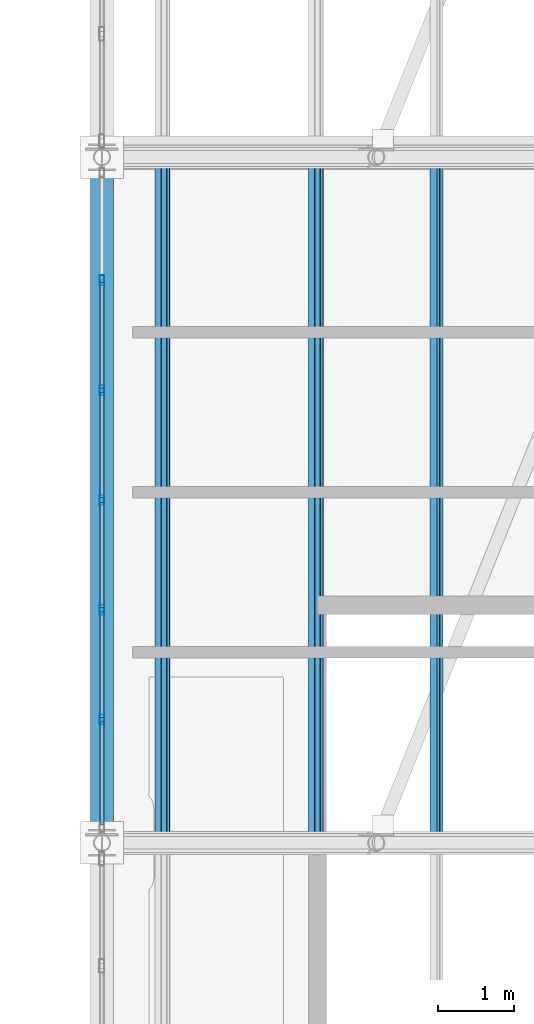
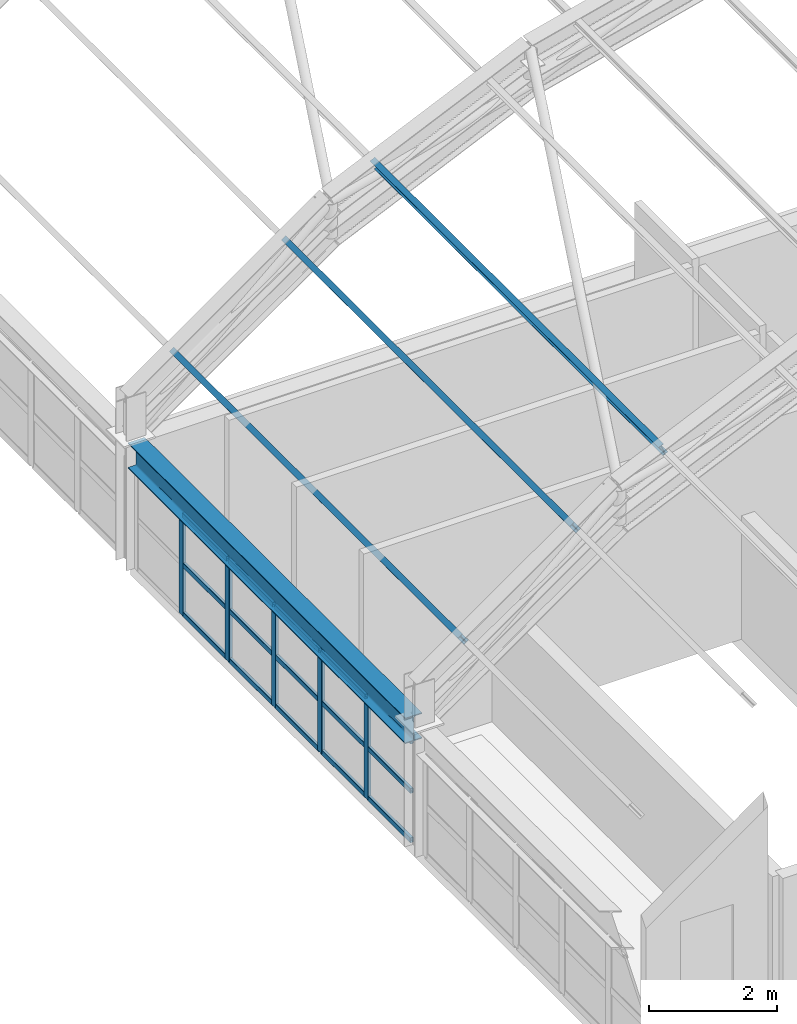
# One storey, part 27 of 121: 23 members, 1 beam, 1 element without a shape of its own.
"""IFC4 building model written with IfcOpenShell, lengths in metres."""

from ifc_helpers import new_model, si_unit, direction, frame, origin, origin_2d, place, context, subcontext, project, spatial, hollow_rectangle, i_section, extrude, material, material_profile, profile_set, type_object, element, aggregate, save


model = new_model("IFC4")

# Units and contexts
model_context = context("Model", 3, precision=1e-05, world=origin(), true_north=direction((0.0, 1.0)))
body_context = subcontext(model_context, "Body", "Model", "MODEL_VIEW")
ifc_project = project(units=[si_unit("LENGTHUNIT", "METRE"), si_unit("AREAUNIT", "SQUARE_METRE"), si_unit("VOLUMEUNIT", "CUBIC_METRE"), si_unit("PLANEANGLEUNIT", "RADIAN"), si_unit("MASSUNIT", "GRAM", prefix="KILO")], contexts=[model_context])

# Site, building, storey
site_placement = place(None, origin())
site = spatial("IfcSite", under=ifc_project, at=site_placement, CompositionType="ELEMENT")
building_placement = place(site_placement, origin())
building = spatial("IfcBuilding", under=site, at=building_placement, Name="Canglan Escarpment Cableway Terminal", CompositionType="ELEMENT")
storey_placement = place(building_placement, frame((0.0, 0.0, 24.60009765625)))
storey = spatial("IfcBuildingStorey", under=building, at=storey_placement, Name="L05", CompositionType="ELEMENT", Elevation=24.60009765625)

# Beam
ifc_material_1 = material(Name="Steel Q355B", Category="steel")
ifc_material_profile_1 = material_profile(ifc_material_1, i_section(OverallWidth=0.300048828125, OverallDepth=0.488037109375, WebThickness=0.010986328125, FlangeThickness=0.01806640625, FilletRadius=0.02587890625, at=origin_2d()), Name="HM 488x300x11x18")
ifc_profile_set_1 = profile_set([ifc_material_profile_1], Name="Steel Q355B")
beam_type = type_object("IfcBeamType", Name="BM-HM488", PredefinedType="BEAM", material=ifc_profile_set_1)
beam_placement = place(storey_placement, frame((137.60009765625, 43.175048828125, 2.1884765625), z_axis=(0.0, 1.0, 0.0), x_axis=(-1.0, 0.0, 0.0)))
element("IfcBeam", 1, at=beam_placement, inside=storey, type_object=beam_type, Name="Vault springing ring girder B-09", PredefinedType="BEAM", context=body_context, shape_type="SweptSolid", body=[
    extrude(i_section(OverallWidth=0.300048828125, OverallDepth=0.488037109375, WebThickness=0.010986328125, FlangeThickness=0.01806640625, FilletRadius=0.02587890625, at=origin_2d()), origin(), (0.0, 0.0, 1.0), 8.64990234375),
])

# Curtain wall, members
ifc_material_2 = material(Name="Anodized bronze aluminium and Low-E double glazing", Category="aluminium")
curtain_wall_type = type_object("IfcCurtainWallType", Name="CW-BAY-8650x1925", PredefinedType="NOTDEFINED", material=ifc_material_2)
curtain_wall_placement = place(storey_placement, origin())
curtain_wall = element("IfcCurtainWall", 2, at=curtain_wall_placement, inside=storey, type_object=curtain_wall_type, Name="Classical bay-between-piers glazed curtain wall CW-65", PredefinedType="NOTDEFINED")
ifc_material_3 = material(Name="Thermally broken anodized aluminium 6063-T6", Category="aluminium")
ifc_material_profile_2 = material_profile(ifc_material_3, hollow_rectangle(XDim=0.06005859375, YDim=0.1298828125, WallThickness=0.0029296875, InnerFilletRadius=0.0029296875, OuterFilletRadius=0.006103515625, at=origin_2d()), Name="ALU-MULL 60x130x3")
ifc_profile_set_2 = profile_set([ifc_material_profile_2], Name="Thermally broken anodized aluminium 6063-T6")
member_type_1 = type_object("IfcMemberType", Name="CWM-01", PredefinedType="MULLION", material=ifc_profile_set_2)
member_1_placement = place(storey_placement, frame((137.60009765625, 50.38330078125, 0.0), z_axis=(0.0, 0.0, 1.0), x_axis=(1.0, 0.0, 0.0)))
member_1 = element("IfcMember", 3, at=member_1_placement, type_object=member_type_1, Name="CW-65 mullion 2", PredefinedType="MULLION", context=body_context, shape_type="SweptSolid", body=[
    extrude(hollow_rectangle(XDim=0.06005859375, YDim=0.1298828125, WallThickness=0.0029296875, InnerFilletRadius=0.0029296875, OuterFilletRadius=0.006103515625, at=origin_2d()), origin(), (0.0, 0.0, 1.0), 1.932373046875),
])
member_2_placement = place(storey_placement, frame((137.60009765625, 48.941650390625, 0.0), z_axis=(0.0, 0.0, 1.0), x_axis=(1.0, 0.0, 0.0)))
member_2 = element("IfcMember", 4, at=member_2_placement, type_object=member_type_1, Name="CW-65 mullion 3", PredefinedType="MULLION", context=body_context, shape_type="SweptSolid", body=[
    extrude(hollow_rectangle(XDim=0.06005859375, YDim=0.1298828125, WallThickness=0.0029296875, InnerFilletRadius=0.0029296875, OuterFilletRadius=0.006103515625, at=origin_2d()), origin(), (0.0, 0.0, 1.0), 1.932373046875),
])
member_3_placement = place(storey_placement, frame((137.60009765625, 47.5, 0.0), z_axis=(0.0, 0.0, 1.0), x_axis=(1.0, 0.0, 0.0)))
member_3 = element("IfcMember", 5, at=member_3_placement, type_object=member_type_1, Name="CW-65 mullion 4", PredefinedType="MULLION", context=body_context, shape_type="SweptSolid", body=[
    extrude(hollow_rectangle(XDim=0.06005859375, YDim=0.1298828125, WallThickness=0.0029296875, InnerFilletRadius=0.0029296875, OuterFilletRadius=0.006103515625, at=origin_2d()), origin(), (0.0, 0.0, 1.0), 1.932373046875),
])
member_4_placement = place(storey_placement, frame((137.60009765625, 46.058349609375, 0.0), z_axis=(0.0, 0.0, 1.0), x_axis=(1.0, 0.0, 0.0)))
member_4 = element("IfcMember", 6, at=member_4_placement, type_object=member_type_1, Name="CW-65 mullion 5", PredefinedType="MULLION", context=body_context, shape_type="SweptSolid", body=[
    extrude(hollow_rectangle(XDim=0.06005859375, YDim=0.1298828125, WallThickness=0.0029296875, InnerFilletRadius=0.0029296875, OuterFilletRadius=0.006103515625, at=origin_2d()), origin(), (0.0, 0.0, 1.0), 1.932373046875),
])
member_5_placement = place(storey_placement, frame((137.60009765625, 44.61669921875, 0.0), z_axis=(0.0, 0.0, 1.0), x_axis=(1.0, 0.0, 0.0)))
member_5 = element("IfcMember", 7, at=member_5_placement, type_object=member_type_1, Name="CW-65 mullion 6", PredefinedType="MULLION", context=body_context, shape_type="SweptSolid", body=[
    extrude(hollow_rectangle(XDim=0.06005859375, YDim=0.1298828125, WallThickness=0.0029296875, InnerFilletRadius=0.0029296875, OuterFilletRadius=0.006103515625, at=origin_2d()), origin(), (0.0, 0.0, 1.0), 1.932373046875),
])
ifc_material_profile_3 = material_profile(ifc_material_3, hollow_rectangle(XDim=0.054931640625, YDim=0.094970703125, WallThickness=0.0029296875, InnerFilletRadius=0.0029296875, OuterFilletRadius=0.006103515625, at=origin_2d()), Name="ALU-TRAN 55x95x3")
ifc_profile_set_3 = profile_set([ifc_material_profile_3], Name="Thermally broken anodized aluminium 6063-T6")
member_type_2 = type_object("IfcMemberType", Name="CWT-01", PredefinedType="USERDEFINED", material=ifc_profile_set_3)
member_6_placement = place(storey_placement, frame((137.60009765625, 50.353271484375, 0.02734375), z_axis=(0.0, -1.0, 0.0), x_axis=(1.0, 0.0, 0.0)))
member_6 = element("IfcMember", 8, at=member_6_placement, type_object=member_type_2, Name="CW-65 transom 2.1", ObjectType="TRANSOM", PredefinedType="USERDEFINED", context=body_context, shape_type="SweptSolid", body=[
    extrude(hollow_rectangle(XDim=0.054931640625, YDim=0.094970703125, WallThickness=0.0029296875, InnerFilletRadius=0.0029296875, OuterFilletRadius=0.006103515625, at=origin_2d()), origin(), (0.0, 0.0, 1.0), 1.381591796875),
])
member_7_placement = place(storey_placement, frame((137.60009765625, 50.353271484375, 0.96630859375), z_axis=(0.0, -1.0, 0.0), x_axis=(1.0, 0.0, 0.0)))
member_7 = element("IfcMember", 9, at=member_7_placement, type_object=member_type_2, Name="CW-65 transom 2.2", ObjectType="TRANSOM", PredefinedType="USERDEFINED", context=body_context, shape_type="SweptSolid", body=[
    extrude(hollow_rectangle(XDim=0.054931640625, YDim=0.094970703125, WallThickness=0.0029296875, InnerFilletRadius=0.0029296875, OuterFilletRadius=0.006103515625, at=origin_2d()), origin(), (0.0, 0.0, 1.0), 1.381591796875),
])
member_8_placement = place(storey_placement, frame((137.60009765625, 50.353271484375, 1.90478515625), z_axis=(0.0, -1.0, 0.0), x_axis=(1.0, 0.0, 0.0)))
member_8 = element("IfcMember", 10, at=member_8_placement, type_object=member_type_2, Name="CW-65 transom 2.3", ObjectType="TRANSOM", PredefinedType="USERDEFINED", context=body_context, shape_type="SweptSolid", body=[
    extrude(hollow_rectangle(XDim=0.054931640625, YDim=0.094970703125, WallThickness=0.0029296875, InnerFilletRadius=0.0029296875, OuterFilletRadius=0.006103515625, at=origin_2d()), origin(), (0.0, 0.0, 1.0), 1.381591796875),
])
member_9_placement = place(storey_placement, frame((137.60009765625, 48.91162109375, 0.02734375), z_axis=(0.0, -1.0, 0.0), x_axis=(1.0, 0.0, 0.0)))
member_9 = element("IfcMember", 11, at=member_9_placement, type_object=member_type_2, Name="CW-65 transom 3.1", ObjectType="TRANSOM", PredefinedType="USERDEFINED", context=body_context, shape_type="SweptSolid", body=[
    extrude(hollow_rectangle(XDim=0.054931640625, YDim=0.094970703125, WallThickness=0.0029296875, InnerFilletRadius=0.0029296875, OuterFilletRadius=0.006103515625, at=origin_2d()), origin(), (0.0, 0.0, 1.0), 1.381591796875),
])
member_10_placement = place(storey_placement, frame((137.60009765625, 48.91162109375, 0.96630859375), z_axis=(0.0, -1.0, 0.0), x_axis=(1.0, 0.0, 0.0)))
member_10 = element("IfcMember", 12, at=member_10_placement, type_object=member_type_2, Name="CW-65 transom 3.2", ObjectType="TRANSOM", PredefinedType="USERDEFINED", context=body_context, shape_type="SweptSolid", body=[
    extrude(hollow_rectangle(XDim=0.054931640625, YDim=0.094970703125, WallThickness=0.0029296875, InnerFilletRadius=0.0029296875, OuterFilletRadius=0.006103515625, at=origin_2d()), origin(), (0.0, 0.0, 1.0), 1.381591796875),
])
member_11_placement = place(storey_placement, frame((137.60009765625, 48.91162109375, 1.90478515625), z_axis=(0.0, -1.0, 0.0), x_axis=(1.0, 0.0, 0.0)))
member_11 = element("IfcMember", 13, at=member_11_placement, type_object=member_type_2, Name="CW-65 transom 3.3", ObjectType="TRANSOM", PredefinedType="USERDEFINED", context=body_context, shape_type="SweptSolid", body=[
    extrude(hollow_rectangle(XDim=0.054931640625, YDim=0.094970703125, WallThickness=0.0029296875, InnerFilletRadius=0.0029296875, OuterFilletRadius=0.006103515625, at=origin_2d()), origin(), (0.0, 0.0, 1.0), 1.381591796875),
])
member_12_placement = place(storey_placement, frame((137.60009765625, 47.469970703125, 0.02734375), z_axis=(0.0, -1.0, 0.0), x_axis=(1.0, 0.0, 0.0)))
member_12 = element("IfcMember", 14, at=member_12_placement, type_object=member_type_2, Name="CW-65 transom 4.1", ObjectType="TRANSOM", PredefinedType="USERDEFINED", context=body_context, shape_type="SweptSolid", body=[
    extrude(hollow_rectangle(XDim=0.054931640625, YDim=0.094970703125, WallThickness=0.0029296875, InnerFilletRadius=0.0029296875, OuterFilletRadius=0.006103515625, at=origin_2d()), origin(), (0.0, 0.0, 1.0), 1.381591796875),
])
member_13_placement = place(storey_placement, frame((137.60009765625, 47.469970703125, 0.96630859375), z_axis=(0.0, -1.0, 0.0), x_axis=(1.0, 0.0, 0.0)))
member_13 = element("IfcMember", 15, at=member_13_placement, type_object=member_type_2, Name="CW-65 transom 4.2", ObjectType="TRANSOM", PredefinedType="USERDEFINED", context=body_context, shape_type="SweptSolid", body=[
    extrude(hollow_rectangle(XDim=0.054931640625, YDim=0.094970703125, WallThickness=0.0029296875, InnerFilletRadius=0.0029296875, OuterFilletRadius=0.006103515625, at=origin_2d()), origin(), (0.0, 0.0, 1.0), 1.381591796875),
])
member_14_placement = place(storey_placement, frame((137.60009765625, 47.469970703125, 1.90478515625), z_axis=(0.0, -1.0, 0.0), x_axis=(1.0, 0.0, 0.0)))
member_14 = element("IfcMember", 16, at=member_14_placement, type_object=member_type_2, Name="CW-65 transom 4.3", ObjectType="TRANSOM", PredefinedType="USERDEFINED", context=body_context, shape_type="SweptSolid", body=[
    extrude(hollow_rectangle(XDim=0.054931640625, YDim=0.094970703125, WallThickness=0.0029296875, InnerFilletRadius=0.0029296875, OuterFilletRadius=0.006103515625, at=origin_2d()), origin(), (0.0, 0.0, 1.0), 1.381591796875),
])
member_15_placement = place(storey_placement, frame((137.60009765625, 46.0283203125, 0.02734375), z_axis=(0.0, -1.0, 0.0), x_axis=(1.0, 0.0, 0.0)))
member_15 = element("IfcMember", 17, at=member_15_placement, type_object=member_type_2, Name="CW-65 transom 5.1", ObjectType="TRANSOM", PredefinedType="USERDEFINED", context=body_context, shape_type="SweptSolid", body=[
    extrude(hollow_rectangle(XDim=0.054931640625, YDim=0.094970703125, WallThickness=0.0029296875, InnerFilletRadius=0.0029296875, OuterFilletRadius=0.006103515625, at=origin_2d()), origin(), (0.0, 0.0, 1.0), 1.381591796875),
])
member_16_placement = place(storey_placement, frame((137.60009765625, 46.0283203125, 0.96630859375), z_axis=(0.0, -1.0, 0.0), x_axis=(1.0, 0.0, 0.0)))
member_16 = element("IfcMember", 18, at=member_16_placement, type_object=member_type_2, Name="CW-65 transom 5.2", ObjectType="TRANSOM", PredefinedType="USERDEFINED", context=body_context, shape_type="SweptSolid", body=[
    extrude(hollow_rectangle(XDim=0.054931640625, YDim=0.094970703125, WallThickness=0.0029296875, InnerFilletRadius=0.0029296875, OuterFilletRadius=0.006103515625, at=origin_2d()), origin(), (0.0, 0.0, 1.0), 1.381591796875),
])
member_17_placement = place(storey_placement, frame((137.60009765625, 46.0283203125, 1.90478515625), z_axis=(0.0, -1.0, 0.0), x_axis=(1.0, 0.0, 0.0)))
member_17 = element("IfcMember", 19, at=member_17_placement, type_object=member_type_2, Name="CW-65 transom 5.3", ObjectType="TRANSOM", PredefinedType="USERDEFINED", context=body_context, shape_type="SweptSolid", body=[
    extrude(hollow_rectangle(XDim=0.054931640625, YDim=0.094970703125, WallThickness=0.0029296875, InnerFilletRadius=0.0029296875, OuterFilletRadius=0.006103515625, at=origin_2d()), origin(), (0.0, 0.0, 1.0), 1.381591796875),
])
member_18_placement = place(storey_placement, frame((137.60009765625, 44.586669921875, 0.02734375), z_axis=(0.0, -1.0, 0.0), x_axis=(1.0, 0.0, 0.0)))
member_18 = element("IfcMember", 20, at=member_18_placement, type_object=member_type_2, Name="CW-65 transom 6.1", ObjectType="TRANSOM", PredefinedType="USERDEFINED", context=body_context, shape_type="SweptSolid", body=[
    extrude(hollow_rectangle(XDim=0.054931640625, YDim=0.094970703125, WallThickness=0.0029296875, InnerFilletRadius=0.0029296875, OuterFilletRadius=0.006103515625, at=origin_2d()), origin(), (0.0, 0.0, 1.0), 1.3515625),
])
member_19_placement = place(storey_placement, frame((137.60009765625, 44.586669921875, 0.96630859375), z_axis=(0.0, -1.0, 0.0), x_axis=(1.0, 0.0, 0.0)))
member_19 = element("IfcMember", 21, at=member_19_placement, type_object=member_type_2, Name="CW-65 transom 6.2", ObjectType="TRANSOM", PredefinedType="USERDEFINED", context=body_context, shape_type="SweptSolid", body=[
    extrude(hollow_rectangle(XDim=0.054931640625, YDim=0.094970703125, WallThickness=0.0029296875, InnerFilletRadius=0.0029296875, OuterFilletRadius=0.006103515625, at=origin_2d()), origin(), (0.0, 0.0, 1.0), 1.3515625),
])
member_20_placement = place(storey_placement, frame((137.60009765625, 44.586669921875, 1.90478515625), z_axis=(0.0, -1.0, 0.0), x_axis=(1.0, 0.0, 0.0)))
member_20 = element("IfcMember", 22, at=member_20_placement, type_object=member_type_2, Name="CW-65 transom 6.3", ObjectType="TRANSOM", PredefinedType="USERDEFINED", context=body_context, shape_type="SweptSolid", body=[
    extrude(hollow_rectangle(XDim=0.054931640625, YDim=0.094970703125, WallThickness=0.0029296875, InnerFilletRadius=0.0029296875, OuterFilletRadius=0.006103515625, at=origin_2d()), origin(), (0.0, 0.0, 1.0), 1.3515625),
])
aggregate(curtain_wall, [member_1, member_2, member_3, member_4, member_5, member_6, member_7, member_8, member_9, member_10, member_11, member_12, member_13, member_14, member_15, member_16, member_17, member_18, member_19, member_20])

# Members
ifc_material_profile_4 = material_profile(ifc_material_1, i_section(OverallWidth=0.10009765625, OverallDepth=0.199951171875, WebThickness=0.005615234375, FlangeThickness=0.008056640625, FilletRadius=0.010986328125, at=origin_2d()), Name="HN 200x100x5.5x8")
ifc_profile_set_4 = profile_set([ifc_material_profile_4], Name="Steel Q355B")
member_type_3 = type_object("IfcMemberType", Name="MB-VAULT-PUR-HN200", PredefinedType="PURLIN", material=ifc_profile_set_4)
for number, where, z_axis, x_axis, name in (
    (23, (138.39208984375, 43.0, 3.712890625), (0.0, 1.0, 0.0), (-0.817727996784, 0.0, -0.575604832568), "Barrel-vault roof purlin PR-01"),
    (24, (140.407958984375, 43.0, 5.1318359375), (0.0, 1.0, 0.0), (-0.817727996784, 0.0, -0.575604832568), "Barrel-vault roof purlin PR-01"),
    (25, (141.991943359375, 43.0, 6.059814453125), (0.0, 1.0, 0.0), (-0.911740537138, 0.0, -0.410766591799), "Barrel-vault roof purlin PR-01"),
):
    element("IfcMember", number, at=place(storey_placement, frame(where, z_axis=z_axis, x_axis=x_axis)), inside=storey, type_object=member_type_3, Name=name, PredefinedType="PURLIN", context=body_context, shape_type="SweptSolid", body=[
        extrude(i_section(OverallWidth=0.10009765625, OverallDepth=0.199951171875, WebThickness=0.005615234375, FlangeThickness=0.008056640625, FilletRadius=0.010986328125, at=origin_2d()), origin(), (0.0, 0.0, 1.0), 9.0),
    ])

save(model, "model.ifc")
